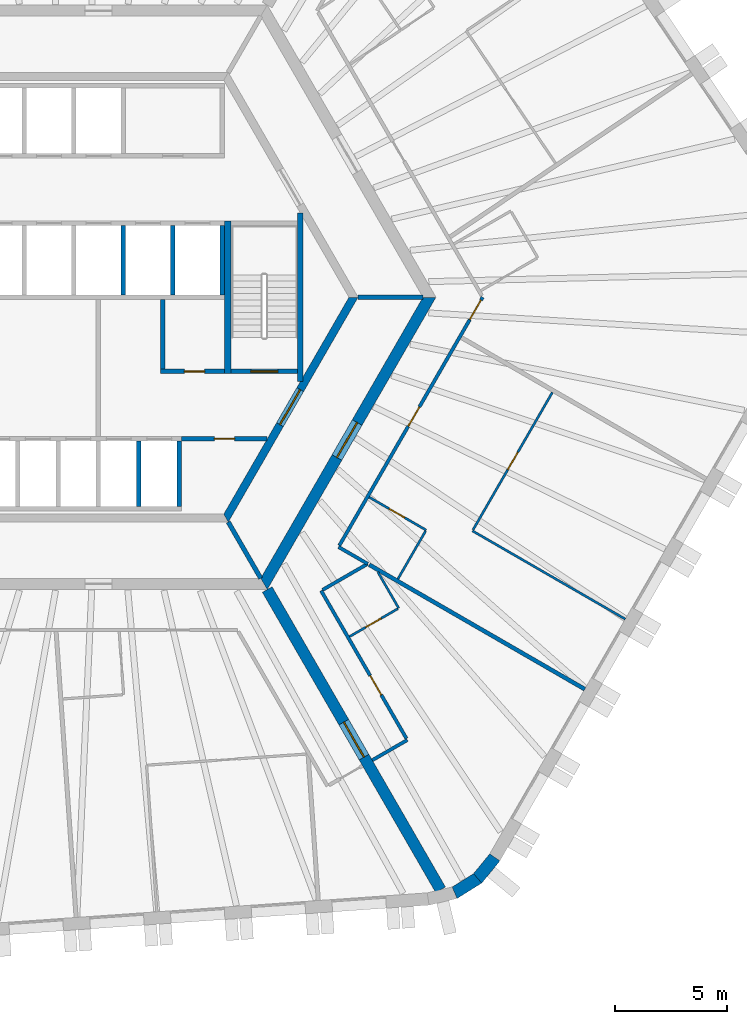
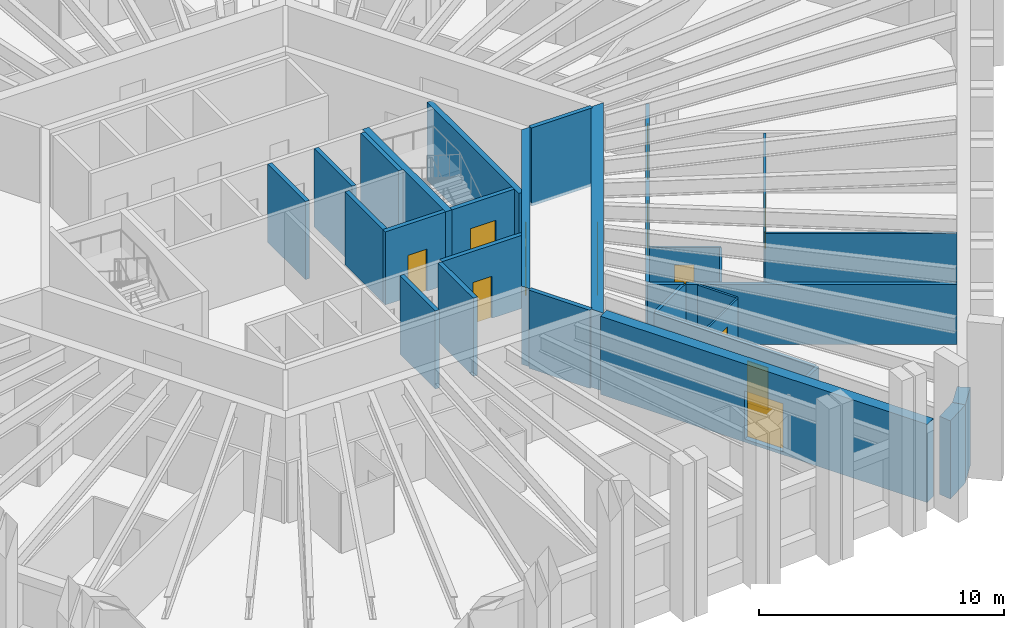
# One storey, part 5 of 10: 30 walls, 12 doors, 12 openings.
"""IFC4 building model written with IfcOpenShell, lengths in metres."""

import ifcopenshell
import ifcopenshell.guid

model = None  # the IFC model being written
_history = None  # IfcOwnerHistory: only IFC2X3 demands one
_inside = {}  # id of a spatial element -> (the spatial element, [elements in it])
_under = {}  # id of a project, library or spatial element -> (it, [spatial elements below it])
_declared = {}  # id of a project -> (the project, [libraries it declares])
_typed = {}  # id of a type object -> (the type object, [elements of that type])
_made_of = {}  # id of a material, layer set ... -> (it, [elements and type objects made of it])


def new_model(schema):
    """Start an empty IFC model of exactly this schema.

    Asked for "IFC4X3", IfcOpenShell would pick the latest addendum, in which some entities
    have other attributes; the version numbers below select the first issue.
    IFC2X3 requires an IfcOwnerHistory on every rooted entity: one is made here for all.
    """
    global model, _history
    if schema == "IFC4X3":
        model = ifcopenshell.file(schema_version=(4, 3, 0, 0))
    else:
        model = ifcopenshell.file(schema=schema)
    _inside.clear()
    _under.clear()
    _declared.clear()
    _typed.clear()
    _made_of.clear()
    _history = None
    if model.schema == "IFC2X3":
        org = make("IfcOrganization", Name="unknown")
        user = make(
            "IfcPersonAndOrganization",
            ThePerson=make("IfcPerson", FamilyName="unknown"),
            TheOrganization=org,
        )
        app = make(
            "IfcApplication",
            ApplicationDeveloper=org,
            Version="unknown",
            ApplicationFullName="unknown",
            ApplicationIdentifier="unknown",
        )
        _history = make(
            "IfcOwnerHistory",
            OwningUser=user,
            OwningApplication=app,
            ChangeAction="ADDED",
            CreationDate=0,
        )
    return model


def make(cls, **values):
    """One entity of the class cls with the attributes given. An attribute that is None is left unset."""
    return model.create_entity(
        cls, **{name: value for name, value in values.items() if value is not None}
    )


def rooted(cls, **values):
    """An entity with a GlobalId (a new one), such as an element, a storey or a relation."""
    return make(cls, GlobalId=ifcopenshell.guid.new(), OwnerHistory=_history, **values)


def si_unit(unit_type, name, prefix=None):
    """IfcSIUnit, for example si_unit("LENGTHUNIT", "METRE", prefix="MILLI")."""
    return make("IfcSIUnit", UnitType=unit_type, Prefix=prefix, Name=name)


def assignment(units):
    """IfcUnitAssignment: the units of a project."""
    return None if units is None else make("IfcUnitAssignment", Units=units)


def point(xyz):
    """IfcCartesianPoint."""
    return None if xyz is None else make("IfcCartesianPoint", Coordinates=xyz)


def direction(xyz):
    """IfcDirection."""
    return None if xyz is None else make("IfcDirection", DirectionRatios=xyz)


def frame(location, z_axis=None, x_axis=None):
    """IfcAxis2Placement3D, a coordinate frame: its origin and axes. An axis left out is left unset."""
    return make(
        "IfcAxis2Placement3D",
        Location=point(location),
        Axis=direction(z_axis),
        RefDirection=direction(x_axis),
    )


def frame_2d(location, x_axis=None):
    """IfcAxis2Placement2D, a coordinate frame in the plane: its origin and x axis."""
    return make(
        "IfcAxis2Placement2D", Location=point(location), RefDirection=direction(x_axis)
    )


def origin():
    """The frame at (0, 0, 0) with its axes left unset."""
    return frame((0.0, 0.0, 0.0))


def place(relative_to, where):
    """IfcLocalPlacement: puts the frame where relative to a parent placement (None: the world)."""
    return make(
        "IfcLocalPlacement", PlacementRelTo=relative_to, RelativePlacement=where
    )


def context(
    kind, dimensions, precision=None, world=None, true_north=None, identifier=None
):
    """IfcGeometricRepresentationContext, for example the 3D "Model" context."""
    return make(
        "IfcGeometricRepresentationContext",
        ContextIdentifier=identifier,
        ContextType=kind,
        CoordinateSpaceDimension=dimensions,
        Precision=precision,
        WorldCoordinateSystem=world,
        TrueNorth=true_north,
    )


def subcontext(parent, identifier, kind, view, scale=None):
    """IfcGeometricRepresentationSubContext, for example "Body" below "Model"."""
    return make(
        "IfcGeometricRepresentationSubContext",
        ContextIdentifier=identifier,
        ContextType=kind,
        ParentContext=parent,
        TargetScale=scale,
        TargetView=view,
    )


def project(units=None, contexts=None):
    """IfcProject with its units and contexts."""
    return rooted(
        "IfcProject",
        Name="project",
        RepresentationContexts=contexts,
        UnitsInContext=assignment(units),
    )


def spatial(cls, under=None, at=None, **own):
    """A site, building, storey or space (cls), placed at a placement, below another one or the project."""
    s = rooted(cls, ObjectPlacement=at, **own)
    if under is not None:
        _under.setdefault(under.id(), (under, []))[1].append(s)
    return s


def polyline(points):
    """IfcPolyline through the points."""
    return make("IfcPolyline", Points=[point(p) for p in points])


def profile(cls, at=None, kind="AREA", **sizes):
    """A parametric profile (cls). Its sizes go by their IFC names, for example OverallWidth=200.0."""
    return make(cls, ProfileType=kind, Position=at, **sizes)


def rectangle(**sizes):
    """IfcRectangleProfileDef."""
    return profile("IfcRectangleProfileDef", **sizes)


def outline(outer, holes=None, kind="AREA"):
    """IfcArbitraryClosedProfileDef: a profile drawn as a closed curve; with holes, ...WithVoids."""
    if holes is None:
        return make("IfcArbitraryClosedProfileDef", ProfileType=kind, OuterCurve=outer)
    return make(
        "IfcArbitraryProfileDefWithVoids",
        ProfileType=kind,
        OuterCurve=outer,
        InnerCurves=holes,
    )


def extrude(swept, where, along, depth):
    """IfcExtrudedAreaSolid: the profile swept, set in the frame where, extruded along a direction by depth."""
    return make(
        "IfcExtrudedAreaSolid",
        SweptArea=swept,
        Position=where,
        ExtrudedDirection=direction(along),
        Depth=depth,
    )


def shape(context_of_items, identifier, shape_type, items):
    """IfcShapeRepresentation: the items that make up one representation, for example the "Body"."""
    return make(
        "IfcShapeRepresentation",
        ContextOfItems=context_of_items,
        RepresentationIdentifier=identifier,
        RepresentationType=shape_type,
        Items=items,
    )


def material(Name=None, Category=None):
    """IfcMaterial."""
    return make("IfcMaterial", Name=Name, Category=Category)


def layer(
    of_material, thickness, ventilated=None, Name=None, Category=None, Priority=None
):
    """IfcMaterialLayer: one layer of a wall or slab, of a material (None: an air gap)."""
    return make(
        "IfcMaterialLayer",
        Material=of_material,
        LayerThickness=thickness,
        IsVentilated=ventilated,
        Name=Name,
        Category=Category,
        Priority=Priority,
    )


def layer_set(layers, Name=None):
    """IfcMaterialLayerSet."""
    return make("IfcMaterialLayerSet", MaterialLayers=layers, LayerSetName=Name)


def made_of(thing, what):
    """Note that an element or type object is made of a material, layer set ...; save() writes the relation."""
    if what is not None:
        _made_of.setdefault(what.id(), (what, []))[1].append(thing)
    return thing


def type_object(cls, material=None, **own):
    """A type object (cls), such as IfcWallType, which elements share."""
    return made_of(rooted(cls, **own), material)


def element(
    cls,
    number,
    at=None,
    inside=None,
    cuts=None,
    type_object=None,
    material=None,
    context=None,
    identifier="Body",
    shape_type=None,
    held_by="IfcProductDefinitionShape",
    body=None,
    shapes=None,
    **own,
):
    """One element of the class cls, such as IfcWall. Its Tag is "e" and its number.

    at: its placement. inside: the storey or other place that contains it. cuts: it is an
    opening in that element (IfcRelVoidsElement). A single representation is given by context,
    identifier, shape_type and body (its items); several are given by shapes. held_by: the class
    of the entity that holds the representations. save() writes the other relations.
    """
    e = rooted(cls, Tag="e%d" % number, ObjectPlacement=at, **own)
    if body is not None:
        shapes = [shape(context, identifier, shape_type, body)]
    if shapes is not None:
        e.Representation = make(held_by, Representations=shapes)
    if inside is not None:
        _inside.setdefault(inside.id(), (inside, []))[1].append(e)
    if cuts is not None:
        rooted(
            "IfcRelVoidsElement", RelatingBuildingElement=cuts, RelatedOpeningElement=e
        )
    if type_object is not None:
        _typed.setdefault(type_object.id(), (type_object, []))[1].append(e)
    return made_of(e, material)


def fill(opening, filler):
    """IfcRelFillsElement: the door or window that sits in an opening."""
    return rooted(
        "IfcRelFillsElement",
        RelatingOpeningElement=opening,
        RelatedBuildingElement=filler,
    )


def aggregate(whole, parts):
    """IfcRelAggregates: a whole, such as a stair, and the parts it consists of."""
    return rooted("IfcRelAggregates", RelatingObject=whole, RelatedObjects=parts)


def save(model, path):
    """Write the relations noted so far, then the file.

    IfcRelAggregates (storeys below a building ...), IfcRelContainedInSpatialStructure (elements
    in a storey), IfcRelDefinesByType, IfcRelAssociatesMaterial and IfcRelDeclares: one each for
    every whole, place, type object, material and project.
    """
    for whole, parts in _under.values():
        aggregate(whole, parts)
    for where, things in _inside.values():
        rooted(
            "IfcRelContainedInSpatialStructure",
            RelatedElements=things,
            RelatingStructure=where,
        )
    for kind, things in _typed.values():
        rooted("IfcRelDefinesByType", RelatedObjects=things, RelatingType=kind)
    for what, things in _made_of.values():
        rooted("IfcRelAssociatesMaterial", RelatedObjects=things, RelatingMaterial=what)
    for by, libraries in _declared.values():
        rooted("IfcRelDeclares", RelatingContext=by, RelatedDefinitions=libraries)
    model.write(path)


model = new_model("IFC4")

# Units and contexts
model_context = context("Model", 3, precision=1e-05, world=origin(), true_north=direction((0.0, 1.0)))
body_context = subcontext(model_context, "Body", "Model", "MODEL_VIEW")
ifc_project = project(units=[si_unit("LENGTHUNIT", "METRE"), si_unit("AREAUNIT", "SQUARE_METRE"), si_unit("VOLUMEUNIT", "CUBIC_METRE"), si_unit("PLANEANGLEUNIT", "RADIAN"), si_unit("MASSUNIT", "GRAM", prefix="KILO")], contexts=[model_context])

# Site, building, storey
site_placement = place(None, origin())
site = spatial("IfcSite", under=ifc_project, at=site_placement, CompositionType="ELEMENT")
building_placement = place(site_placement, origin())
building = spatial("IfcBuilding", under=site, at=building_placement, Name="Tarnside Tower", CompositionType="ELEMENT")
storey_placement = place(building_placement, frame((0.0, 0.0, 176.10009765625)))
storey = spatial("IfcBuildingStorey", under=building, at=storey_placement, Name="L41", CompositionType="ELEMENT", Elevation=176.10009765625)

# Wall
ifc_material_1 = material(Name="Gypsum board partition on steel studs", Category="steel")
ifc_layer_1 = layer(ifc_material_1, 0.10009765625)
ifc_layer_set_1 = layer_set([ifc_layer_1], Name="Bathroom wall 100")
wall_type_1 = type_object("IfcWallType", Name="Bathroom wall 100", PredefinedType="PARTITIONING", material=ifc_layer_set_1)
wall_1_placement = place(storey_placement, frame((12.42626953125, -12.22265625, 0.0), z_axis=(0.0, 0.0, 1.0), x_axis=(0.499927229454, -0.866067413802, 0.0)))
element("IfcWall", 1, at=wall_1_placement, inside=storey, type_object=wall_type_1, Name="Bathroom wall 13092", PredefinedType="PARTITIONING", context=body_context, shape_type="SweptSolid", body=[
    extrude(rectangle(XDim=1.857666015625, YDim=0.10009765625, at=frame_2d((0.9287109375, 0.0))), origin(), (0.0, 0.0, 1.0), 2.98779296875),
])

# Wall, opening, door
wall_2_placement = place(storey_placement, frame((13.311767578125, -13.856689453125, 0.0), z_axis=(0.0, 0.0, 1.0), x_axis=(-0.866073894602, -0.499916002032, 0.0)))
wall_2 = element("IfcWall", 2, at=wall_2_placement, inside=storey, type_object=wall_type_1, Name="Bathroom wall 13093", PredefinedType="PARTITIONING", context=body_context, shape_type="SweptSolid", body=[
    extrude(rectangle(XDim=2.47509765625, YDim=0.10009765625, at=frame_2d((1.237548828125, 0.0))), origin(), (0.0, 0.0, 1.0), 2.98779296875),
])
opening_1_placement = place(wall_2_placement, frame((0.85009765625, 0.0, 0.0)))
opening_1 = element("IfcOpeningElement", 3, at=opening_1_placement, cuts=wall_2, Name="Opening D-B1", PredefinedType="OPENING", context=body_context, shape_type="SweptSolid", body=[
    extrude(rectangle(XDim=0.800048828125, YDim=2.10009765625, at=frame_2d((0.39990234375, 1.050048828125))), frame((0.0, 0.06005859375, 0.0), z_axis=(0.0, -1.0, 0.0), x_axis=(1.0, 0.0, 0.0)), (0.0, 0.0, 1.0), 0.1201171875),
])
ifc_material_2 = material(Name="Timber door leaf", Category="wood")
door_type_1 = type_object("IfcDoorType", Name="Bathroom door 800", OperationType="NOTDEFINED", PredefinedType="DOOR", material=ifc_material_2)
door_1_placement = place(opening_1_placement, origin())
door_1 = element("IfcDoor", 4, at=door_1_placement, inside=storey, type_object=door_type_1, Name="Bathroom door 13025", OperationType="SINGLE_SWING_LEFT", OverallHeight=2.10009765625, OverallWidth=0.800048828125, PredefinedType="DOOR", context=body_context, shape_type="SweptSolid", body=[
    extrude(rectangle(XDim=0.800048828125, YDim=2.10009765625, at=frame_2d((0.39990234375, 1.050048828125))), frame((0.0, 0.02490234375, 0.0), z_axis=(0.0, -1.0, 0.0), x_axis=(1.0, 0.0, 0.0)), (0.0, 0.0, 1.0), 0.050048828125),
])
fill(opening_1, door_1)

wall_3_placement = place(storey_placement, frame((12.041015625, -8.894287109375, 0.0), z_axis=(0.0, 0.0, 1.0), x_axis=(0.866046596414, -0.499963291492, 0.0)))
wall_3 = element("IfcWall", 5, at=wall_3_placement, inside=storey, type_object=wall_type_1, Name="Bathroom wall 13097", PredefinedType="PARTITIONING", context=body_context, shape_type="SweptSolid", body=[
    extrude(rectangle(XDim=2.925048828125, YDim=0.10009765625, at=frame_2d((1.46240234375, 0.0))), origin(), (0.0, 0.0, 1.0), 2.98779296875),
])
opening_2_placement = place(wall_3_placement, frame((1.02490234375, 0.0, 0.0)))
opening_2 = element("IfcOpeningElement", 6, at=opening_2_placement, cuts=wall_3, Name="Opening D-B1", PredefinedType="OPENING", context=body_context, shape_type="SweptSolid", body=[
    extrude(rectangle(XDim=0.800048828125, YDim=2.10009765625, at=frame_2d((0.39990234375, 1.050048828125))), frame((0.0, 0.06005859375, 0.0), z_axis=(0.0, -1.0, 0.0), x_axis=(1.0, 0.0, 0.0)), (0.0, 0.0, 1.0), 0.1201171875),
])
door_2_placement = place(opening_2_placement, origin())
door_2 = element("IfcDoor", 7, at=door_2_placement, inside=storey, type_object=door_type_1, Name="Bathroom door 13027", OperationType="SINGLE_SWING_RIGHT", OverallHeight=2.10009765625, OverallWidth=0.800048828125, PredefinedType="DOOR", context=body_context, shape_type="SweptSolid", body=[
    extrude(rectangle(XDim=0.800048828125, YDim=2.10009765625, at=frame_2d((0.39990234375, 1.050048828125))), frame((0.0, 0.02490234375, 0.0), z_axis=(0.0, -1.0, 0.0), x_axis=(1.0, 0.0, 0.0)), (0.0, 0.0, 1.0), 0.050048828125),
])
fill(opening_2, door_2)

# Wall
wall_4_placement = place(storey_placement, frame((14.549072265625, -10.400146484375, 0.0), z_axis=(0.0, 0.0, 1.0), x_axis=(-0.500003092839, -0.866023618125, 0.0)))
element("IfcWall", 8, at=wall_4_placement, inside=storey, type_object=wall_type_1, Name="Bathroom wall 13098", PredefinedType="PARTITIONING", context=body_context, shape_type="SweptSolid", body=[
    extrude(rectangle(XDim=2.4599609375, YDim=0.10009765625, at=frame_2d((1.22998046875, 0.0))), origin(), (0.0, 0.0, 1.0), 2.98779296875),
])

# Wall, opening, door
ifc_material_3 = material(Name="Concrete C50/60", Category="concrete")
ifc_layer_2 = layer(ifc_material_3, 0.35009765625)
ifc_layer_set_2 = layer_set([ifc_layer_2], Name="Core block wall 350 C50/60")
wall_type_2 = type_object("IfcWallType", Name="Core block wall 350 C50/60", PredefinedType="SHEAR", material=ifc_layer_set_2)
wall_5_placement = place(storey_placement, frame((5.672607421875, -9.824951171875, -0.150146484375), z_axis=(0.0, 0.0, 1.0), x_axis=(0.499995046907, 0.866028263435, 0.0)))
wall_5 = element("IfcWall", 9, at=wall_5_placement, inside=storey, type_object=wall_type_2, Name="L41 core block wall face 5", PredefinedType="SHEAR", context=body_context, shape_type="SweptSolid", body=[
    extrude(outline(polyline([(-0.10107421875, -0.175048828125), (11.44580078125, -0.175048828125), (11.24365234375, 0.175048828125), (0.10107421875, 0.175048828125), (-0.10107421875, -0.175048828125)])), origin(), (0.0, 0.0, 1.0), 3.900146484375),
])
opening_3_placement = place(wall_5_placement, frame((4.80126953125, 0.0, 0.14990234375)))
opening_3 = element("IfcOpeningElement", 10, at=opening_3_placement, cuts=wall_5, Name="Opening CD-FFL", PredefinedType="OPENING", context=body_context, shape_type="SweptSolid", body=[
    extrude(rectangle(XDim=1.800048828125, YDim=2.39990234375, at=frame_2d((0.89990234375, 1.199951171875))), frame((0.0, 0.18505859375, 0.0), z_axis=(0.0, -1.0, 0.0), x_axis=(1.0, 0.0, 0.0)), (0.0, 0.0, 1.0), 0.3701171875),
])
ifc_material_4 = material(Name="Steel fire door", Category="steel")
door_type_2 = type_object("IfcDoorType", Name="Firefighting lobby double door FD60S 1800x2400", OperationType="NOTDEFINED", PredefinedType="DOOR", material=ifc_material_4)
door_3_placement = place(opening_3_placement, origin())
door_3 = element("IfcDoor", 11, at=door_3_placement, inside=storey, type_object=door_type_2, Name="L41 lobby block door P4", OperationType="DOUBLE_DOOR_SINGLE_SWING", OverallHeight=2.39990234375, OverallWidth=1.800048828125, PredefinedType="DOOR", context=body_context, shape_type="SweptSolid", body=[
    extrude(rectangle(XDim=1.800048828125, YDim=2.39990234375, at=frame_2d((0.89990234375, 1.199951171875))), frame((0.0, 0.02490234375, 0.0), z_axis=(0.0, -1.0, 0.0), x_axis=(1.0, 0.0, 0.0)), (0.0, 0.0, 1.0), 0.050048828125),
])
fill(opening_3, door_3)

ifc_material_5 = material(Name="Concrete C40/50", Category="concrete")
ifc_layer_3 = layer(ifc_material_5, 0.199951171875)
ifc_layer_set_3 = layer_set([ifc_layer_3], Name="Core room partition 200 C40/50")
wall_type_3 = type_object("IfcWallType", Name="Core room partition 200 C40/50", PredefinedType="PARTITIONING", material=ifc_layer_set_3)
wall_6_placement = place(storey_placement, frame((2.75, -3.300048828125, 0.0), z_axis=(0.0, 0.0, 1.0), x_axis=(1.0, 0.0, 0.0)))
wall_6 = element("IfcWall", 12, at=wall_6_placement, inside=storey, type_object=wall_type_3, Name="L41 core partition R3S1", PredefinedType="PARTITIONING", context=body_context, shape_type="SweptSolid", body=[
    extrude(rectangle(XDim=2.85009765625, YDim=0.199951171875, at=frame_2d((1.425048828125, 0.0))), origin(), (0.0, 0.0, 1.0), 3.64990234375),
])
opening_4_placement = place(wall_6_placement, frame((1.074951171875, 0.0, 0.0)))
opening_4 = element("IfcOpeningElement", 13, at=opening_4_placement, cuts=wall_6, Name="Opening CD-room", PredefinedType="OPENING", context=body_context, shape_type="SweptSolid", body=[
    extrude(rectangle(XDim=0.89990234375, YDim=2.10009765625, at=frame_2d((0.449951171875, 1.050048828125))), frame((0.0, 0.10986328125, 0.0), z_axis=(0.0, -1.0, 0.0), x_axis=(1.0, 0.0, 0.0)), (0.0, 0.0, 1.0), 0.219970703125),
])
door_type_3 = type_object("IfcDoorType", Name="Room door FD60 900x2100", OperationType="NOTDEFINED", PredefinedType="DOOR", material=ifc_material_4)
door_4_placement = place(opening_4_placement, origin())
door_4 = element("IfcDoor", 14, at=door_4_placement, inside=storey, type_object=door_type_3, Name="L41 core room door SR1", OperationType="SINGLE_SWING_LEFT", OverallHeight=2.10009765625, OverallWidth=0.89990234375, PredefinedType="DOOR", context=body_context, shape_type="SweptSolid", body=[
    extrude(rectangle(XDim=0.89990234375, YDim=2.10009765625, at=frame_2d((0.449951171875, 1.050048828125))), frame((0.0, 0.02490234375, 0.0), z_axis=(0.0, -1.0, 0.0), x_axis=(1.0, 0.0, 0.0)), (0.0, 0.0, 1.0), 0.050048828125),
])
fill(opening_4, door_4)

# Wall
wall_7_placement = place(storey_placement, frame((2.85009765625, -3.199951171875, 0.0), z_axis=(0.0, 0.0, 1.0), x_axis=(0.0, 1.0, 0.0)))
element("IfcWall", 15, at=wall_7_placement, inside=storey, type_object=wall_type_3, Name="L41 core partition R3P1a", PredefinedType="PARTITIONING", context=body_context, shape_type="SweptSolid", body=[
    extrude(rectangle(XDim=3.099853515625, YDim=0.199951171875, at=frame_2d((1.5498046875, 0.0))), origin(), (0.0, 0.0, 1.0), 3.64990234375),
])

# Wall, opening, door
wall_8_placement = place(storey_placement, frame((3.699951171875, -6.300048828125, 0.0), z_axis=(0.0, 0.0, 1.0), x_axis=(1.0, 0.0, 0.0)))
wall_8 = element("IfcWall", 16, at=wall_8_placement, inside=storey, type_object=wall_type_3, Name="L41 core partition R4X", PredefinedType="PARTITIONING", context=body_context, shape_type="SweptSolid", body=[
    extrude(rectangle(XDim=3.8056640625, YDim=0.199951171875, at=frame_2d((1.90283203125, 0.0))), origin(), (0.0, 0.0, 1.0), 3.64990234375),
])
opening_5_placement = place(wall_8_placement, frame((1.452880859375, 0.0, 0.0)))
opening_5 = element("IfcOpeningElement", 17, at=opening_5_placement, cuts=wall_8, Name="Opening CD-room", PredefinedType="OPENING", context=body_context, shape_type="SweptSolid", body=[
    extrude(rectangle(XDim=0.89990234375, YDim=2.10009765625, at=frame_2d((0.449951171875, 1.050048828125))), frame((0.0, 0.10986328125, 0.0), z_axis=(0.0, -1.0, 0.0), x_axis=(1.0, 0.0, 0.0)), (0.0, 0.0, 1.0), 0.219970703125),
])
door_5_placement = place(opening_5_placement, origin())
door_5 = element("IfcDoor", 18, at=door_5_placement, inside=storey, type_object=door_type_3, Name="L41 core room door RX", OperationType="SINGLE_SWING_LEFT", OverallHeight=2.10009765625, OverallWidth=0.89990234375, PredefinedType="DOOR", context=body_context, shape_type="SweptSolid", body=[
    extrude(rectangle(XDim=0.89990234375, YDim=2.10009765625, at=frame_2d((0.449951171875, 1.050048828125))), frame((0.0, 0.02490234375, 0.0), z_axis=(0.0, -1.0, 0.0), x_axis=(1.0, 0.0, 0.0)), (0.0, 0.0, 1.0), 0.050048828125),
])
fill(opening_5, door_5)

ifc_material_6 = material(Name="Concrete C70/85", Category="concrete")
ifc_layer_4 = layer(ifc_material_6, 0.5)
ifc_layer_set_4 = layer_set([ifc_layer_4], Name="Core wall Z2 500 C70/85")
wall_type_4 = type_object("IfcWallType", Name="Core wall Z2 500 C70/85", PredefinedType="SHEAR", material=ifc_layer_set_4)
wall_9_placement = place(storey_placement, frame((7.361083984375, -12.75, -0.150146484375), z_axis=(0.0, 0.0, 1.0), x_axis=(0.50000571537, 0.866022103989, 0.0)))
wall_9 = element("IfcWall", 19, at=wall_9_placement, inside=storey, type_object=wall_type_4, Name="L41 core wall face 5", PredefinedType="SHEAR", context=body_context, shape_type="SweptSolid", body=[
    extrude(outline(polyline([(-0.144287109375, -0.25), (14.86669921875, -0.25), (14.578125, 0.25), (0.144287109375, 0.25), (-0.144287109375, -0.25)])), origin(), (0.0, 0.0, 1.0), 3.900146484375),
])
opening_6_placement = place(wall_9_placement, frame((6.489990234375, 0.0, 0.14990234375)))
opening_6 = element("IfcOpeningElement", 20, at=opening_6_placement, cuts=wall_9, Name="Opening CD-FFL", PredefinedType="OPENING", context=body_context, shape_type="SweptSolid", body=[
    extrude(rectangle(XDim=1.800048828125, YDim=2.39990234375, at=frame_2d((0.89990234375, 1.199951171875))), frame((0.0, 0.260009765625, 0.0), z_axis=(0.0, -1.0, 0.0), x_axis=(1.0, 0.0, 0.0)), (0.0, 0.0, 1.0), 0.52001953125),
])
door_6_placement = place(opening_6_placement, origin())
door_6 = element("IfcDoor", 21, at=door_6_placement, inside=storey, type_object=door_type_2, Name="L41 core door P4", OperationType="DOUBLE_DOOR_SINGLE_SWING", OverallHeight=2.39990234375, OverallWidth=1.800048828125, PredefinedType="DOOR", context=body_context, shape_type="SweptSolid", body=[
    extrude(rectangle(XDim=1.800048828125, YDim=2.39990234375, at=frame_2d((0.89990234375, 1.199951171875))), frame((0.0, 0.02490234375, 0.0), z_axis=(0.0, -1.0, 0.0), x_axis=(1.0, 0.0, 0.0)), (0.0, 0.0, 1.0), 0.050048828125),
])
fill(opening_6, door_6)

wall_10_placement = place(storey_placement, frame((7.505615234375, -13.0, -0.150146484375), z_axis=(0.0, 0.0, 1.0), x_axis=(0.499988271576, -0.866032175087, 0.0)))
wall_10 = element("IfcWall", 22, at=wall_10_placement, inside=storey, type_object=wall_type_4, Name="L41 spine wall 3", PredefinedType="SHEAR", context=body_context, shape_type="SweptSolid", body=[
    extrude(rectangle(XDim=15.423583984375, YDim=0.5, at=frame_2d((7.7119140625, 0.0))), origin(), (0.0, 0.0, 1.0), 3.900146484375),
])
opening_7_placement = place(wall_10_placement, frame((6.811767578125, 0.0, 0.14990234375)))
opening_7 = element("IfcOpeningElement", 23, at=opening_7_placement, cuts=wall_10, Name="Opening CD-SPN", PredefinedType="OPENING", context=body_context, shape_type="SweptSolid", body=[
    extrude(rectangle(XDim=1.800048828125, YDim=2.39990234375, at=frame_2d((0.89990234375, 1.199951171875))), frame((0.0, 0.260009765625, 0.0), z_axis=(0.0, -1.0, 0.0), x_axis=(1.0, 0.0, 0.0)), (0.0, 0.0, 1.0), 0.52001953125),
])
door_type_4 = type_object("IfcDoorType", Name="Spine passage double door FD60 1800x2400", OperationType="NOTDEFINED", PredefinedType="DOOR", material=ifc_material_4)
door_7_placement = place(opening_7_placement, origin())
door_7 = element("IfcDoor", 24, at=door_7_placement, inside=storey, type_object=door_type_4, Name="L41 spine passage door 3", OperationType="DOUBLE_DOOR_SINGLE_SWING", OverallHeight=2.39990234375, OverallWidth=1.800048828125, PredefinedType="DOOR", context=body_context, shape_type="SweptSolid", body=[
    extrude(rectangle(XDim=1.800048828125, YDim=2.39990234375, at=frame_2d((0.89990234375, 1.199951171875))), frame((0.0, 0.02490234375, 0.0), z_axis=(0.0, -1.0, 0.0), x_axis=(1.0, 0.0, 0.0)), (0.0, 0.0, 1.0), 0.050048828125),
])
fill(opening_7, door_7)

# Wall
ifc_layer_5 = layer(ifc_material_1, 0.14990234375)
ifc_layer_set_5 = layer_set([ifc_layer_5], Name="Corridor wall 150 EI 60")
wall_type_5 = type_object("IfcWallType", Name="Corridor wall 150 EI 60", PredefinedType="PARTITIONING", material=ifc_layer_set_5)
wall_11_placement = place(storey_placement, frame((12.177978515625, -20.5927734375, 0.0), z_axis=(0.0, 0.0, 1.0), x_axis=(0.866047807691, 0.499961193289, 0.0)))
element("IfcWall", 25, at=wall_11_placement, inside=storey, type_object=wall_type_5, Name="Corridor wall 13033", PredefinedType="PARTITIONING", context=body_context, shape_type="SweptSolid", body=[
    extrude(rectangle(XDim=1.800048828125, YDim=0.14990234375, at=frame_2d((0.89990234375, 0.0))), origin(), (0.0, 0.0, 1.0), 2.98779296875),
])

# Wall, opening, door
wall_12_placement = place(storey_placement, frame((13.69921875, -19.6279296875, 0.0), z_axis=(0.0, 0.0, 1.0), x_axis=(-0.499998968938, 0.866025999068, 0.0)))
wall_12 = element("IfcWall", 26, at=wall_12_placement, inside=storey, type_object=wall_type_5, Name="Corridor wall 13034", PredefinedType="PARTITIONING", context=body_context, shape_type="SweptSolid", body=[
    extrude(rectangle(XDim=7.591796875, YDim=0.14990234375, at=frame_2d((3.7958984375, 0.0))), origin(), (0.0, 0.0, 1.0), 2.98779296875),
])
opening_8_placement = place(wall_12_placement, frame((2.2333984375, 0.0, 0.0)))
opening_8 = element("IfcOpeningElement", 27, at=opening_8_placement, cuts=wall_12, Name="Opening D-E1", PredefinedType="OPENING", context=body_context, shape_type="SweptSolid", body=[
    extrude(rectangle(XDim=1.0, YDim=2.10009765625, at=frame_2d((0.5, 1.050048828125))), frame((0.0, 0.0849609375, 0.0), z_axis=(0.0, -1.0, 0.0), x_axis=(1.0, 0.0, 0.0)), (0.0, 0.0, 1.0), 0.169921875),
])
door_type_5 = type_object("IfcDoorType", Name="Unit entrance door 1000 FD30S", OperationType="NOTDEFINED", PredefinedType="DOOR", material=ifc_material_2)
door_8_placement = place(opening_8_placement, origin())
door_8 = element("IfcDoor", 28, at=door_8_placement, inside=storey, type_object=door_type_5, Name="Unit door 13024", OperationType="SINGLE_SWING_LEFT", OverallHeight=2.10009765625, OverallWidth=1.0, PredefinedType="DOOR", context=body_context, shape_type="SweptSolid", body=[
    extrude(rectangle(XDim=1.0, YDim=2.10009765625, at=frame_2d((0.5, 1.050048828125))), frame((0.0, 0.02490234375, 0.0), z_axis=(0.0, -1.0, 0.0), x_axis=(1.0, 0.0, 0.0)), (0.0, 0.0, 1.0), 0.050048828125),
])
fill(opening_8, door_8)

# Wall
wall_13_placement = place(storey_placement, frame((9.96826171875, -13.015625, 0.0), z_axis=(0.0, 0.0, 1.0), x_axis=(0.866022320763, 0.500005339912, 0.0)))
element("IfcWall", 29, at=wall_13_placement, inside=storey, type_object=wall_type_5, Name="Corridor wall 13036", PredefinedType="PARTITIONING", context=body_context, shape_type="SweptSolid", body=[
    extrude(rectangle(XDim=2.31591796875, YDim=0.14990234375, at=frame_2d((1.157958984375, 0.0))), origin(), (0.0, 0.0, 1.0), 2.98779296875),
])

# Wall, openings, doors
wall_14_placement = place(storey_placement, frame((10.713623046875, -11.04345703125, 0.0), z_axis=(0.0, 0.0, 1.0), x_axis=(0.500001980452, 0.866024260367, 0.0)))
wall_14 = element("IfcWall", 30, at=wall_14_placement, inside=storey, type_object=wall_type_5, Name="Corridor wall 13037", PredefinedType="PARTITIONING", context=body_context, shape_type="SweptSolid", body=[
    extrude(rectangle(XDim=12.751953125, YDim=0.14990234375, at=frame_2d((6.3759765625, 0.0))), origin(), (0.0, 0.0, 1.0), 2.98779296875),
])
opening_9_placement = place(wall_14_placement, frame((6.125, 0.0, 0.0)))
opening_9 = element("IfcOpeningElement", 31, at=opening_9_placement, cuts=wall_14, Name="Opening D-E1", PredefinedType="OPENING", context=body_context, shape_type="SweptSolid", body=[
    extrude(rectangle(XDim=1.0, YDim=2.10009765625, at=frame_2d((0.5, 1.050048828125))), frame((0.0, 0.0849609375, 0.0), z_axis=(0.0, -1.0, 0.0), x_axis=(1.0, 0.0, 0.0)), (0.0, 0.0, 1.0), 0.169921875),
])
opening_10_placement = place(wall_14_placement, frame((11.601806640625, 0.0, 0.0)))
opening_10 = element("IfcOpeningElement", 32, at=opening_10_placement, cuts=wall_14, Name="Opening D-E1", PredefinedType="OPENING", context=body_context, shape_type="SweptSolid", body=[
    extrude(rectangle(XDim=1.0, YDim=2.10009765625, at=frame_2d((0.5, 1.050048828125))), frame((0.0, 0.0849609375, 0.0), z_axis=(0.0, -1.0, 0.0), x_axis=(1.0, 0.0, 0.0)), (0.0, 0.0, 1.0), 0.169921875),
])
door_9_placement = place(opening_9_placement, origin())
door_9 = element("IfcDoor", 33, at=door_9_placement, inside=storey, type_object=door_type_5, Name="Unit door 13026", OperationType="SINGLE_SWING_LEFT", OverallHeight=2.10009765625, OverallWidth=1.0, PredefinedType="DOOR", context=body_context, shape_type="SweptSolid", body=[
    extrude(rectangle(XDim=1.0, YDim=2.10009765625, at=frame_2d((0.5, 1.050048828125))), frame((0.0, 0.02490234375, 0.0), z_axis=(0.0, -1.0, 0.0), x_axis=(1.0, 0.0, 0.0)), (0.0, 0.0, 1.0), 0.050048828125),
])
fill(opening_9, door_9)
door_10_placement = place(opening_10_placement, origin())
door_10 = element("IfcDoor", 34, at=door_10_placement, inside=storey, type_object=door_type_5, Name="Unit door 13029", OperationType="SINGLE_SWING_LEFT", OverallHeight=2.10009765625, OverallWidth=1.0, PredefinedType="DOOR", context=body_context, shape_type="SweptSolid", body=[
    extrude(rectangle(XDim=1.0, YDim=2.10009765625, at=frame_2d((0.5, 1.050048828125))), frame((0.0, 0.02490234375, 0.0), z_axis=(0.0, -1.0, 0.0), x_axis=(1.0, 0.0, 0.0)), (0.0, 0.0, 1.0), 0.050048828125),
])
fill(opening_10, door_10)

# Walls
wall_15_placement = place(storey_placement, frame((11.9765625, -11.859375, 0.0), z_axis=(0.0, 0.0, 1.0), x_axis=(-0.865993364801, 0.500055489042, 0.0)))
element("IfcWall", 35, at=wall_15_placement, inside=storey, type_object=wall_type_5, Name="Corridor wall 13038", PredefinedType="PARTITIONING", context=body_context, shape_type="SweptSolid", body=[
    extrude(rectangle(XDim=1.501708984375, YDim=0.14990234375, at=frame_2d((0.7509765625, 0.0))), origin(), (0.0, 0.0, 1.0), 2.98779296875),
])
ifc_layer_6 = layer(ifc_material_1, 0.179931640625)
ifc_layer_set_6 = layer_set([ifc_layer_6], Name="Demising wall 180 EI 60")
wall_type_6 = type_object("IfcWallType", Name="Demising wall 180 EI 60", PredefinedType="PARTITIONING", material=ifc_layer_set_6)
wall_16_placement = place(storey_placement, frame((21.63134765625, -17.433349609375, 0.0), z_axis=(0.0, 0.0, 1.0), x_axis=(-0.866031296205, 0.499989793889, 0.0)))
element("IfcWall", 36, at=wall_16_placement, inside=storey, type_object=wall_type_6, Name="Demising wall 13094", PredefinedType="PARTITIONING", context=body_context, shape_type="SweptSolid", body=[
    extrude(rectangle(XDim=11.067138671875, YDim=0.179931640625, at=frame_2d((5.53369140625, 0.0))), origin(), (0.0, 0.0, 1.0), 2.98779296875),
])
ifc_layer_7 = layer(ifc_material_5, 0.199951171875)
ifc_layer_set_7 = layer_set([ifc_layer_7], Name="Lift shaft wall 200 C40/50")
wall_type_7 = type_object("IfcWallType", Name="Lift shaft wall 200 C40/50", PredefinedType="SHEAR", material=ifc_layer_set_7)
for number, where, z_axis, x_axis, name in (
    (37, (1.10009765625, 0.10009765625, -0.25), (0.0, 0.0, 1.0), (0.0, 1.0, 0.0), "L41 lift shaft partition R24"),
    (38, (3.300048828125, 0.10009765625, -0.25), (0.0, 0.0, 1.0), (0.0, 1.0, 0.0), "L41 lift shaft partition R25"),
    (39, (5.5, 0.10009765625, -0.25), (0.0, 0.0, 1.0), (0.0, 1.0, 0.0), "L41 lift shaft partition R26"),
):
    element("IfcWall", number, at=place(storey_placement, frame(where, z_axis=z_axis, x_axis=x_axis)), inside=storey, type_object=wall_type_7, Name=name, PredefinedType="SHEAR", context=body_context, shape_type="SweptSolid", body=[
        extrude(rectangle(XDim=3.099853515625, YDim=0.199951171875, at=frame_2d((1.5498046875, 0.0))), origin(), (0.0, 0.0, 1.0), 3.89990234375),
    ])
for number, where, z_axis, x_axis, name in (
    (40, (1.800048828125, -9.300048828125, -0.25), (0.0, 0.0, 1.0), (0.0, 1.0, 0.0), "L41 lift shaft partition R45"),
    (41, (3.60009765625, -9.300048828125, -0.25), (0.0, 0.0, 1.0), (0.0, 1.0, 0.0), "L41 lift shaft partition R46"),
):
    element("IfcWall", number, at=place(storey_placement, frame(where, z_axis=z_axis, x_axis=x_axis)), inside=storey, type_object=wall_type_7, Name=name, PredefinedType="SHEAR", context=body_context, shape_type="SweptSolid", body=[
        extrude(rectangle(XDim=2.900146484375, YDim=0.199951171875, at=frame_2d((1.4501953125, 0.0))), origin(), (0.0, 0.0, 1.0), 3.89990234375),
    ])
for number, where, z_axis, x_axis, name in (
    (42, (11.547119140625, 0.0, -0.150146484375), (0.0, 0.0, 1.0), (1.0, 0.0, 0.0), "L41 core partition AR0"),
    (43, (5.7734375, -10.0, -0.150146484375), (0.0, 0.0, 1.0), (0.499995765644, -0.866027848477, 0.0), "L41 core partition AR300"),
):
    element("IfcWall", number, at=place(storey_placement, frame(where, z_axis=z_axis, x_axis=x_axis)), inside=storey, type_object=wall_type_7, Name=name, PredefinedType="SHEAR", context=body_context, shape_type="SweptSolid", body=[
        extrude(rectangle(XDim=2.88671875, YDim=0.199951171875, at=frame_2d((1.443359375, 0.0))), origin(), (0.0, 0.0, 1.0), 3.900146484375),
    ])

# Wall, opening, door
wall_17_placement = place(storey_placement, frame((5.89990234375, -3.300048828125, -0.25), z_axis=(0.0, 0.0, 1.0), x_axis=(1.0, 0.0, 0.0)))
wall_17 = element("IfcWall", 44, at=wall_17_placement, inside=storey, type_object=wall_type_7, Name="L41 stair 1 enclosure cap wall s", PredefinedType="SHEAR", context=body_context, shape_type="SweptSolid", body=[
    extrude(rectangle(XDim=2.9501953125, YDim=0.199951171875, at=frame_2d((1.47509765625, 0.0))), origin(), (0.0, 0.0, 1.0), 3.89990234375),
])
opening_11_placement = place(wall_17_placement, frame((0.875, 0.0, 0.25)))
opening_11 = element("IfcOpeningElement", 45, at=opening_11_placement, cuts=wall_17, Name="Opening CD-STR", PredefinedType="OPENING", context=body_context, shape_type="SweptSolid", body=[
    extrude(rectangle(XDim=1.199951171875, YDim=2.39990234375, at=frame_2d((0.60009765625, 1.199951171875))), frame((0.0, 0.10986328125, 0.0), z_axis=(0.0, -1.0, 0.0), x_axis=(1.0, 0.0, 0.0)), (0.0, 0.0, 1.0), 0.219970703125),
])
door_type_6 = type_object("IfcDoorType", Name="Stair door FD60S 1200x2400", OperationType="NOTDEFINED", PredefinedType="DOOR", material=ifc_material_4)
door_11_placement = place(opening_11_placement, origin())
door_11 = element("IfcDoor", 46, at=door_11_placement, inside=storey, type_object=door_type_6, Name="L41 stair 1 door", OperationType="SINGLE_SWING_LEFT", OverallHeight=2.39990234375, OverallWidth=1.199951171875, PredefinedType="DOOR", context=body_context, shape_type="SweptSolid", body=[
    extrude(rectangle(XDim=1.199951171875, YDim=2.39990234375, at=frame_2d((0.60009765625, 1.199951171875))), frame((0.0, 0.02490234375, 0.0), z_axis=(0.0, -1.0, 0.0), x_axis=(1.0, 0.0, 0.0)), (0.0, 0.0, 1.0), 0.050048828125),
])
fill(opening_11, door_11)

# Wall
ifc_layer_8 = layer(ifc_material_1, 0.10009765625)
ifc_layer_set_8 = layer_set([ifc_layer_8], Name="Partition 100")
wall_type_8 = type_object("IfcWallType", Name="Partition 100", PredefinedType="PARTITIONING", material=ifc_layer_set_8)
wall_18_placement = place(storey_placement, frame((23.431396484375, -14.315673828125, 0.0), z_axis=(0.0, 0.0, 1.0), x_axis=(-0.86602399778, 0.500002435262, 0.0)))
element("IfcWall", 47, at=wall_18_placement, inside=storey, type_object=wall_type_8, Name="Partition wall 13099", PredefinedType="PARTITIONING", context=body_context, shape_type="SweptSolid", body=[
    extrude(rectangle(XDim=7.85009765625, YDim=0.10009765625, at=frame_2d((3.925048828125, 0.0))), origin(), (0.0, 0.0, 1.0), 2.98779296875),
])

# Wall, opening, door
wall_19_placement = place(storey_placement, frame((16.657958984375, -10.347412109375, 0.0), z_axis=(0.0, 0.0, 1.0), x_axis=(0.500010820671, 0.866019156377, 0.0)))
wall_19 = element("IfcWall", 48, at=wall_19_placement, inside=storey, type_object=wall_type_8, Name="Partition wall 13100", PredefinedType="PARTITIONING", context=body_context, shape_type="SweptSolid", body=[
    extrude(rectangle(XDim=7.059814453125, YDim=0.10009765625, at=frame_2d((3.52978515625, 0.0))), origin(), (0.0, 0.0, 1.0), 2.98779296875),
])
opening_12_placement = place(wall_19_placement, frame((3.10009765625, 0.0, 0.0)))
opening_12 = element("IfcOpeningElement", 49, at=opening_12_placement, cuts=wall_19, Name="Opening D-I1", PredefinedType="OPENING", context=body_context, shape_type="SweptSolid", body=[
    extrude(rectangle(XDim=0.89990234375, YDim=2.10009765625, at=frame_2d((0.449951171875, 1.050048828125))), frame((0.0, 0.06005859375, 0.0), z_axis=(0.0, -1.0, 0.0), x_axis=(1.0, 0.0, 0.0)), (0.0, 0.0, 1.0), 0.1201171875),
])
door_type_7 = type_object("IfcDoorType", Name="Internal door 900", OperationType="NOTDEFINED", PredefinedType="DOOR", material=ifc_material_2)
door_12_placement = place(opening_12_placement, origin())
door_12 = element("IfcDoor", 50, at=door_12_placement, inside=storey, type_object=door_type_7, Name="Internal door 13028", OperationType="SINGLE_SWING_RIGHT", OverallHeight=2.10009765625, OverallWidth=0.89990234375, PredefinedType="DOOR", context=body_context, shape_type="SweptSolid", body=[
    extrude(rectangle(XDim=0.89990234375, YDim=2.10009765625, at=frame_2d((0.449951171875, 1.050048828125))), frame((0.0, 0.02490234375, 0.0), z_axis=(0.0, -1.0, 0.0), x_axis=(1.0, 0.0, 0.0)), (0.0, 0.0, 1.0), 0.050048828125),
])
fill(opening_12, door_12)

# Walls
ifc_layer_9 = layer(ifc_material_5, 0.25)
ifc_layer_set_9 = layer_set([ifc_layer_9], Name="Stair enclosure wall 250 C40/50")
wall_type_9 = type_object("IfcWallType", Name="Stair enclosure wall 250 C40/50", PredefinedType="SHEAR", material=ifc_layer_set_9)
wall_20_placement = place(storey_placement, frame((8.97509765625, -3.7548828125, -0.25), z_axis=(0.0, 0.0, 1.0), x_axis=(0.0, 1.0, 0.0)))
element("IfcWall", 51, at=wall_20_placement, inside=storey, type_object=wall_type_9, Name="L41 stair 1 enclosure wall outer", PredefinedType="SHEAR", context=body_context, shape_type="SweptSolid", body=[
    extrude(rectangle(XDim=7.509765625, YDim=0.25, at=frame_2d((3.7548828125, 0.0))), origin(), (0.0, 0.0, 1.0), 3.89990234375),
])
ifc_layer_10 = layer(ifc_material_5, 0.300048828125)
ifc_layer_set_10 = layer_set([ifc_layer_10], Name="Stair enclosure wall 300 C40/50")
wall_type_10 = type_object("IfcWallType", Name="Stair enclosure wall 300 C40/50", PredefinedType="SHEAR", material=ifc_layer_set_10)
wall_21_placement = place(storey_placement, frame((5.75, -3.39990234375, -0.25), z_axis=(0.0, 0.0, 1.0), x_axis=(0.0, 1.0, 0.0)))
element("IfcWall", 52, at=wall_21_placement, inside=storey, type_object=wall_type_10, Name="L41 stair 1 enclosure wall inner", PredefinedType="SHEAR", context=body_context, shape_type="SweptSolid", body=[
    extrude(rectangle(XDim=6.7998046875, YDim=0.300048828125, at=frame_2d((3.39990234375, 0.0))), origin(), (0.0, 0.0, 1.0), 3.89990234375),
])
ifc_material_7 = material(Name="Facing brick", Category="masonry")
ifc_layer_11 = layer(ifc_material_7, 0.10205078125)
ifc_material_8 = material(Name="Concrete C60/75 precast", Category="concrete")
ifc_layer_12 = layer(ifc_material_8, 0.347900390625)
ifc_material_9 = material(Name="Mineral wool insulation")
ifc_layer_13 = layer(ifc_material_9, 0.10009765625)
ifc_layer_set_11 = layer_set([ifc_layer_11, ifc_layer_12, ifc_layer_13], Name="Tube wall 550 brick faced")
wall_type_11 = type_object("IfcWallType", Name="Tube wall 550 brick faced", PredefinedType="SOLIDWALL", material=ifc_layer_set_11)
wall_22_placement = place(storey_placement, frame((15.839599609375, -26.48876953125, -0.150146484375), z_axis=(0.0, 0.0, 1.0), x_axis=(0.848009655012, 0.52998077796, 0.0)))
element("IfcWall", 53, at=wall_22_placement, inside=storey, type_object=wall_type_11, Name="Tube wall L41 F4 chord 14", PredefinedType="SOLIDWALL", context=body_context, shape_type="SweptSolid", body=[
    extrude(outline(polyline([(-0.045166015625, -0.27490234375), (1.25341796875, -0.27490234375), (1.1630859375, 0.27490234375), (0.045166015625, 0.27490234375), (-0.045166015625, -0.27490234375)])), origin(), (0.0, 0.0, 1.0), 3.900146484375),
])
wall_23_placement = place(storey_placement, frame((16.8642578125, -25.848388671875, -0.150146484375), z_axis=(0.0, 0.0, 1.0), x_axis=(0.633842757806, 0.773461930787, 0.0)))
element("IfcWall", 54, at=wall_23_placement, inside=storey, type_object=wall_type_11, Name="Tube wall L41 F4 chord 15", PredefinedType="SOLIDWALL", context=body_context, shape_type="SweptSolid", body=[
    extrude(outline(polyline([(-0.045166015625, -0.27490234375), (1.230712890625, -0.27490234375), (1.185791015625, 0.27490234375), (0.045166015625, 0.27490234375), (-0.045166015625, -0.27490234375)])), origin(), (0.0, 0.0, 1.0), 3.900146484375),
])

save(model, "model.ifc")
